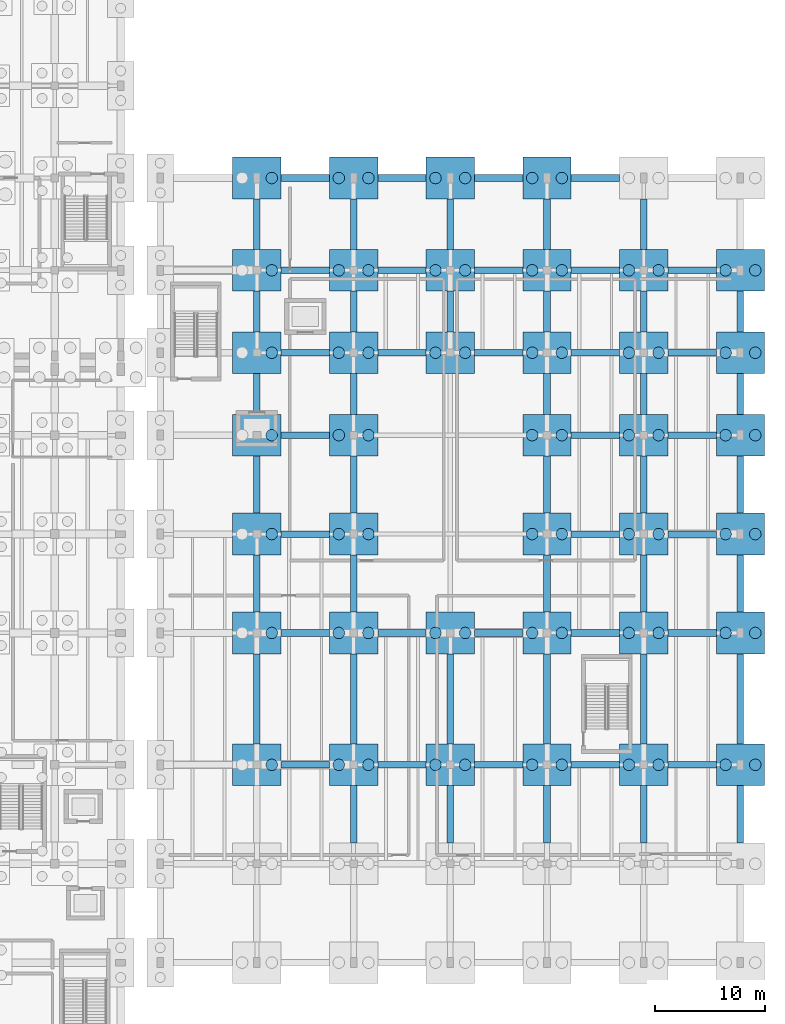
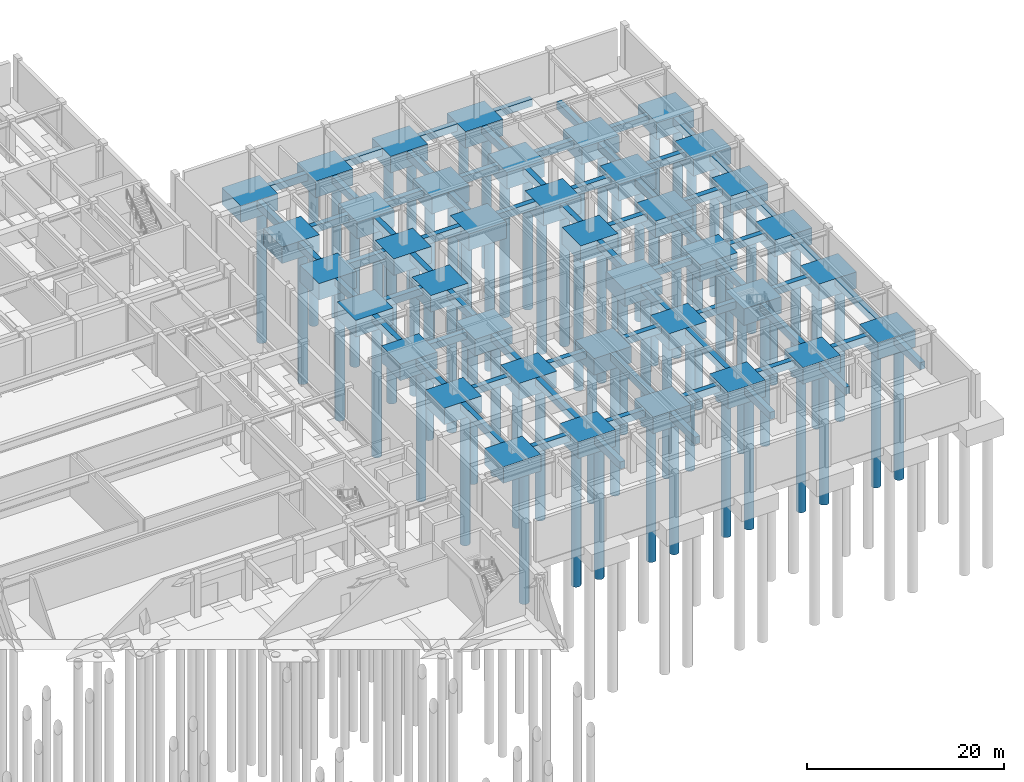
# One storey, part 10 of 69: 105 footings, 69 piles.
"""IFC4 building model written with IfcOpenShell, lengths in metres."""

from ifc_helpers import new_model, si_unit, direction, frame, origin, origin_2d, place, context, subcontext, project, spatial, rectangle, circle, extrude, material, material_profile, profile_set, type_object, element, save


model = new_model("IFC4")

# Units and contexts
model_context = context("Model", 3, precision=1e-05, world=origin(), true_north=direction((0.0, 1.0)))
body_context = subcontext(model_context, "Body", "Model", "MODEL_VIEW")
ifc_project = project(units=[si_unit("LENGTHUNIT", "METRE"), si_unit("AREAUNIT", "SQUARE_METRE"), si_unit("VOLUMEUNIT", "CUBIC_METRE"), si_unit("PLANEANGLEUNIT", "RADIAN"), si_unit("MASSUNIT", "GRAM", prefix="KILO")], contexts=[model_context])

# Site, building, storey
site_placement = place(None, origin())
site = spatial("IfcSite", under=ifc_project, at=site_placement, CompositionType="ELEMENT")
building_placement = place(site_placement, origin())
building = spatial("IfcBuilding", under=site, at=building_placement, Name="Vaelkrest Opera House", CompositionType="ELEMENT")
storey_placement = place(building_placement, frame((0.0, 0.0, -5.39990234375)))
storey = spatial("IfcBuildingStorey", under=building, at=storey_placement, Name="B1", CompositionType="ELEMENT", Elevation=-5.39990234375)

# Footings
ifc_material = material(Name="Concrete C40/50", Category="concrete")
footing_type_1 = type_object("IfcFootingType", Name="FB01", PredefinedType="FOOTING_BEAM", material=ifc_material)
for number, where, z_axis, x_axis, name in (
    (1, (46.800048828125, -19.800048828125, -0.900146484375), (0.0, 0.0, 1.0), (1.0, 0.0, 0.0), "Footing tie beam FT-GB-0302"),
    (2, (55.60009765625, -19.800048828125, -0.900146484375), (0.0, 0.0, 1.0), (1.0, 0.0, 0.0), "Footing tie beam FT-GB-0303"),
    (3, (64.39990234375, -19.800048828125, -0.900146484375), (0.0, 0.0, 1.0), (1.0, 0.0, 0.0), "Footing tie beam FT-GB-0304"),
    (4, (73.199951171875, -19.800048828125, -0.900146484375), (0.0, 0.0, 1.0), (1.0, 0.0, 0.0), "Footing tie beam FT-GB-0305"),
    (5, (82.0, -19.800048828125, -0.900146484375), (0.0, 0.0, 1.0), (1.0, 0.0, 0.0), "Footing tie beam FT-GB-0306"),
    (6, (46.800048828125, -7.800048828125, -0.900146484375), (0.0, 0.0, 1.0), (1.0, 0.0, 0.0), "Footing tie beam FT-GB-0308"),
    (7, (55.60009765625, -7.800048828125, -0.900146484375), (0.0, 0.0, 1.0), (1.0, 0.0, 0.0), "Footing tie beam FT-GB-0309"),
    (8, (64.39990234375, -7.800048828125, -0.900146484375), (0.0, 0.0, 1.0), (1.0, 0.0, 0.0), "Footing tie beam FT-GB-0310"),
    (9, (73.199951171875, -7.800048828125, -0.900146484375), (0.0, 0.0, 1.0), (1.0, 0.0, 0.0), "Footing tie beam FT-GB-0311"),
    (10, (82.0, -7.800048828125, -0.900146484375), (0.0, 0.0, 1.0), (1.0, 0.0, 0.0), "Footing tie beam FT-GB-0312"),
    (11, (46.800048828125, 1.199951171875, -0.900146484375), (0.0, 0.0, 1.0), (1.0, 0.0, 0.0), "Footing tie beam FT-GB-0314"),
    (12, (73.199951171875, 1.199951171875, -0.900146484375), (0.0, 0.0, 1.0), (1.0, 0.0, 0.0), "Footing tie beam FT-GB-0315"),
    (13, (82.0, 1.199951171875, -0.900146484375), (0.0, 0.0, 1.0), (1.0, 0.0, 0.0), "Footing tie beam FT-GB-0316"),
    (14, (46.800048828125, 10.199951171875, -0.900146484375), (0.0, 0.0, 1.0), (1.0, 0.0, 0.0), "Footing tie beam FT-GB-0318"),
    (15, (73.199951171875, 10.199951171875, -0.900146484375), (0.0, 0.0, 1.0), (1.0, 0.0, 0.0), "Footing tie beam FT-GB-0319"),
    (16, (82.0, 10.199951171875, -0.900146484375), (0.0, 0.0, 1.0), (1.0, 0.0, 0.0), "Footing tie beam FT-GB-0320"),
    (17, (46.800048828125, 17.699951171875, -0.900146484375), (0.0, 0.0, 1.0), (1.0, 0.0, 0.0), "Footing tie beam FT-GB-0322"),
    (18, (55.60009765625, 17.699951171875, -0.900146484375), (0.0, 0.0, 1.0), (1.0, 0.0, 0.0), "Footing tie beam FT-GB-0323"),
    (19, (64.39990234375, 17.699951171875, -0.900146484375), (0.0, 0.0, 1.0), (1.0, 0.0, 0.0), "Footing tie beam FT-GB-0324"),
    (20, (73.199951171875, 17.699951171875, -0.900146484375), (0.0, 0.0, 1.0), (1.0, 0.0, 0.0), "Footing tie beam FT-GB-0325"),
    (21, (82.0, 17.699951171875, -0.900146484375), (0.0, 0.0, 1.0), (1.0, 0.0, 0.0), "Footing tie beam FT-GB-0326"),
    (22, (46.800048828125, 25.199951171875, -0.900146484375), (0.0, 0.0, 1.0), (1.0, 0.0, 0.0), "Footing tie beam FT-GB-0328"),
    (23, (55.60009765625, 25.199951171875, -0.900146484375), (0.0, 0.0, 1.0), (1.0, 0.0, 0.0), "Footing tie beam FT-GB-0329"),
    (24, (64.39990234375, 25.199951171875, -0.900146484375), (0.0, 0.0, 1.0), (1.0, 0.0, 0.0), "Footing tie beam FT-GB-0330"),
    (25, (73.199951171875, 25.199951171875, -0.900146484375), (0.0, 0.0, 1.0), (1.0, 0.0, 0.0), "Footing tie beam FT-GB-0331"),
    (26, (82.0, 25.199951171875, -0.900146484375), (0.0, 0.0, 1.0), (1.0, 0.0, 0.0), "Footing tie beam FT-GB-0332"),
    (27, (46.800048828125, 33.60009765625, -0.900146484375), (0.0, 0.0, 1.0), (1.0, 0.0, 0.0), "Footing tie beam FT-GB-0334"),
    (28, (55.60009765625, 33.60009765625, -0.900146484375), (0.0, 0.0, 1.0), (1.0, 0.0, 0.0), "Footing tie beam FT-GB-0335"),
    (29, (64.39990234375, 33.60009765625, -0.900146484375), (0.0, 0.0, 1.0), (1.0, 0.0, 0.0), "Footing tie beam FT-GB-0336"),
    (30, (73.199951171875, 33.60009765625, -0.900146484375), (0.0, 0.0, 1.0), (1.0, 0.0, 0.0), "Footing tie beam FT-GB-0337"),
):
    element("IfcFooting", number, at=place(storey_placement, frame(where, z_axis=z_axis, x_axis=x_axis)), inside=storey, type_object=footing_type_1, Name=name, PredefinedType="FOOTING_BEAM", context=body_context, shape_type="SweptSolid", body=[
        extrude(rectangle(XDim=4.39990234375, YDim=0.60009765625, at=origin_2d()), origin(), (0.0, 0.0, 1.0), 0.89990234375),
    ])
footing_1_placement = place(storey_placement, frame((42.39990234375, -13.800048828125, -0.900146484375), z_axis=(0.0, 0.0, 1.0), x_axis=(0.0, 1.0, 0.0)))
element("IfcFooting", 31, at=footing_1_placement, inside=storey, type_object=footing_type_1, Name="Footing tie beam FT-GB-0349", PredefinedType="FOOTING_BEAM", context=body_context, shape_type="SweptSolid", body=[
    extrude(rectangle(XDim=8.199951171875, YDim=0.60009765625, at=origin_2d()), origin(), (0.0, 0.0, 1.0), 0.89990234375),
])
for number, where, z_axis, x_axis, name in (
    (32, (42.39990234375, -3.300048828125, -0.900146484375), (0.0, 0.0, 1.0), (0.0, 1.0, 0.0), "Footing tie beam FT-GB-0350"),
    (33, (42.39990234375, 5.699951171875, -0.900146484375), (0.0, 0.0, 1.0), (0.0, 1.0, 0.0), "Footing tie beam FT-GB-0351"),
):
    element("IfcFooting", number, at=place(storey_placement, frame(where, z_axis=z_axis, x_axis=x_axis)), inside=storey, type_object=footing_type_1, Name=name, PredefinedType="FOOTING_BEAM", context=body_context, shape_type="SweptSolid", body=[
        extrude(rectangle(XDim=5.199951171875, YDim=0.60009765625, at=origin_2d()), origin(), (0.0, 0.0, 1.0), 0.89990234375),
    ])
for number, where, z_axis, x_axis, name in (
    (34, (42.39990234375, 13.949951171875, -0.900146484375), (0.0, 0.0, 1.0), (0.0, 1.0, 0.0), "Footing tie beam FT-GB-0352"),
    (35, (42.39990234375, 21.449951171875, -0.900146484375), (0.0, 0.0, 1.0), (0.0, 1.0, 0.0), "Footing tie beam FT-GB-0353"),
):
    element("IfcFooting", number, at=place(storey_placement, frame(where, z_axis=z_axis, x_axis=x_axis)), inside=storey, type_object=footing_type_1, Name=name, PredefinedType="FOOTING_BEAM", context=body_context, shape_type="SweptSolid", body=[
        extrude(rectangle(XDim=3.699951171875, YDim=0.60009765625, at=origin_2d()), origin(), (0.0, 0.0, 1.0), 0.89990234375),
    ])
footing_2_placement = place(storey_placement, frame((42.39990234375, 29.39990234375, -0.900146484375), z_axis=(0.0, 0.0, 1.0), x_axis=(0.0, 1.0, 0.0)))
element("IfcFooting", 36, at=footing_2_placement, inside=storey, type_object=footing_type_1, Name="Footing tie beam FT-GB-0354", PredefinedType="FOOTING_BEAM", context=body_context, shape_type="SweptSolid", body=[
    extrude(rectangle(XDim=4.60009765625, YDim=0.60009765625, at=origin_2d()), origin(), (0.0, 0.0, 1.0), 0.89990234375),
])
footing_3_placement = place(storey_placement, frame((51.199951171875, -24.300048828125, -0.900146484375), z_axis=(0.0, 0.0, 1.0), x_axis=(0.0, 1.0, 0.0)))
element("IfcFooting", 37, at=footing_3_placement, inside=storey, type_object=footing_type_1, Name="Footing tie beam FT-GB-0356", PredefinedType="FOOTING_BEAM", context=body_context, shape_type="SweptSolid", body=[
    extrude(rectangle(XDim=5.199951171875, YDim=0.60009765625, at=origin_2d()), origin(), (0.0, 0.0, 1.0), 0.89990234375),
])
footing_4_placement = place(storey_placement, frame((51.199951171875, -13.800048828125, -0.900146484375), z_axis=(0.0, 0.0, 1.0), x_axis=(0.0, 1.0, 0.0)))
element("IfcFooting", 38, at=footing_4_placement, inside=storey, type_object=footing_type_1, Name="Footing tie beam FT-GB-0357", PredefinedType="FOOTING_BEAM", context=body_context, shape_type="SweptSolid", body=[
    extrude(rectangle(XDim=8.199951171875, YDim=0.60009765625, at=origin_2d()), origin(), (0.0, 0.0, 1.0), 0.89990234375),
])
for number, where, z_axis, x_axis, name in (
    (39, (51.199951171875, -3.300048828125, -0.900146484375), (0.0, 0.0, 1.0), (0.0, 1.0, 0.0), "Footing tie beam FT-GB-0358"),
    (40, (51.199951171875, 5.699951171875, -0.900146484375), (0.0, 0.0, 1.0), (0.0, 1.0, 0.0), "Footing tie beam FT-GB-0359"),
):
    element("IfcFooting", number, at=place(storey_placement, frame(where, z_axis=z_axis, x_axis=x_axis)), inside=storey, type_object=footing_type_1, Name=name, PredefinedType="FOOTING_BEAM", context=body_context, shape_type="SweptSolid", body=[
        extrude(rectangle(XDim=5.199951171875, YDim=0.60009765625, at=origin_2d()), origin(), (0.0, 0.0, 1.0), 0.89990234375),
    ])
for number, where, z_axis, x_axis, name in (
    (41, (51.199951171875, 13.949951171875, -0.900146484375), (0.0, 0.0, 1.0), (0.0, 1.0, 0.0), "Footing tie beam FT-GB-0360"),
    (42, (51.199951171875, 21.449951171875, -0.900146484375), (0.0, 0.0, 1.0), (0.0, 1.0, 0.0), "Footing tie beam FT-GB-0361"),
):
    element("IfcFooting", number, at=place(storey_placement, frame(where, z_axis=z_axis, x_axis=x_axis)), inside=storey, type_object=footing_type_1, Name=name, PredefinedType="FOOTING_BEAM", context=body_context, shape_type="SweptSolid", body=[
        extrude(rectangle(XDim=3.699951171875, YDim=0.60009765625, at=origin_2d()), origin(), (0.0, 0.0, 1.0), 0.89990234375),
    ])
footing_5_placement = place(storey_placement, frame((51.199951171875, 29.39990234375, -0.900146484375), z_axis=(0.0, 0.0, 1.0), x_axis=(0.0, 1.0, 0.0)))
element("IfcFooting", 43, at=footing_5_placement, inside=storey, type_object=footing_type_1, Name="Footing tie beam FT-GB-0362", PredefinedType="FOOTING_BEAM", context=body_context, shape_type="SweptSolid", body=[
    extrude(rectangle(XDim=4.60009765625, YDim=0.60009765625, at=origin_2d()), origin(), (0.0, 0.0, 1.0), 0.89990234375),
])
footing_6_placement = place(storey_placement, frame((60.0, -24.300048828125, -0.900146484375), z_axis=(0.0, 0.0, 1.0), x_axis=(0.0, 1.0, 0.0)))
element("IfcFooting", 44, at=footing_6_placement, inside=storey, type_object=footing_type_1, Name="Footing tie beam FT-GB-0364", PredefinedType="FOOTING_BEAM", context=body_context, shape_type="SweptSolid", body=[
    extrude(rectangle(XDim=5.199951171875, YDim=0.60009765625, at=origin_2d()), origin(), (0.0, 0.0, 1.0), 0.89990234375),
])
footing_7_placement = place(storey_placement, frame((60.0, -13.800048828125, -0.900146484375), z_axis=(0.0, 0.0, 1.0), x_axis=(0.0, 1.0, 0.0)))
element("IfcFooting", 45, at=footing_7_placement, inside=storey, type_object=footing_type_1, Name="Footing tie beam FT-GB-0365", PredefinedType="FOOTING_BEAM", context=body_context, shape_type="SweptSolid", body=[
    extrude(rectangle(XDim=8.199951171875, YDim=0.60009765625, at=origin_2d()), origin(), (0.0, 0.0, 1.0), 0.89990234375),
])
footing_8_placement = place(storey_placement, frame((60.0, 21.449951171875, -0.900146484375), z_axis=(0.0, 0.0, 1.0), x_axis=(0.0, 1.0, 0.0)))
element("IfcFooting", 46, at=footing_8_placement, inside=storey, type_object=footing_type_1, Name="Footing tie beam FT-GB-0366", PredefinedType="FOOTING_BEAM", context=body_context, shape_type="SweptSolid", body=[
    extrude(rectangle(XDim=3.699951171875, YDim=0.60009765625, at=origin_2d()), origin(), (0.0, 0.0, 1.0), 0.89990234375),
])
footing_9_placement = place(storey_placement, frame((60.0, 29.39990234375, -0.900146484375), z_axis=(0.0, 0.0, 1.0), x_axis=(0.0, 1.0, 0.0)))
element("IfcFooting", 47, at=footing_9_placement, inside=storey, type_object=footing_type_1, Name="Footing tie beam FT-GB-0367", PredefinedType="FOOTING_BEAM", context=body_context, shape_type="SweptSolid", body=[
    extrude(rectangle(XDim=4.60009765625, YDim=0.60009765625, at=origin_2d()), origin(), (0.0, 0.0, 1.0), 0.89990234375),
])
footing_10_placement = place(storey_placement, frame((68.800048828125, -24.300048828125, -0.900146484375), z_axis=(0.0, 0.0, 1.0), x_axis=(0.0, 1.0, 0.0)))
element("IfcFooting", 48, at=footing_10_placement, inside=storey, type_object=footing_type_1, Name="Footing tie beam FT-GB-0369", PredefinedType="FOOTING_BEAM", context=body_context, shape_type="SweptSolid", body=[
    extrude(rectangle(XDim=5.199951171875, YDim=0.60009765625, at=origin_2d()), origin(), (0.0, 0.0, 1.0), 0.89990234375),
])
footing_11_placement = place(storey_placement, frame((68.800048828125, -13.800048828125, -0.900146484375), z_axis=(0.0, 0.0, 1.0), x_axis=(0.0, 1.0, 0.0)))
element("IfcFooting", 49, at=footing_11_placement, inside=storey, type_object=footing_type_1, Name="Footing tie beam FT-GB-0370", PredefinedType="FOOTING_BEAM", context=body_context, shape_type="SweptSolid", body=[
    extrude(rectangle(XDim=8.199951171875, YDim=0.60009765625, at=origin_2d()), origin(), (0.0, 0.0, 1.0), 0.89990234375),
])
for number, where, z_axis, x_axis, name in (
    (50, (68.800048828125, -3.300048828125, -0.900146484375), (0.0, 0.0, 1.0), (0.0, 1.0, 0.0), "Footing tie beam FT-GB-0371"),
    (51, (68.800048828125, 5.699951171875, -0.900146484375), (0.0, 0.0, 1.0), (0.0, 1.0, 0.0), "Footing tie beam FT-GB-0372"),
):
    element("IfcFooting", number, at=place(storey_placement, frame(where, z_axis=z_axis, x_axis=x_axis)), inside=storey, type_object=footing_type_1, Name=name, PredefinedType="FOOTING_BEAM", context=body_context, shape_type="SweptSolid", body=[
        extrude(rectangle(XDim=5.199951171875, YDim=0.60009765625, at=origin_2d()), origin(), (0.0, 0.0, 1.0), 0.89990234375),
    ])
for number, where, z_axis, x_axis, name in (
    (52, (68.800048828125, 13.949951171875, -0.900146484375), (0.0, 0.0, 1.0), (0.0, 1.0, 0.0), "Footing tie beam FT-GB-0373"),
    (53, (68.800048828125, 21.449951171875, -0.900146484375), (0.0, 0.0, 1.0), (0.0, 1.0, 0.0), "Footing tie beam FT-GB-0374"),
):
    element("IfcFooting", number, at=place(storey_placement, frame(where, z_axis=z_axis, x_axis=x_axis)), inside=storey, type_object=footing_type_1, Name=name, PredefinedType="FOOTING_BEAM", context=body_context, shape_type="SweptSolid", body=[
        extrude(rectangle(XDim=3.699951171875, YDim=0.60009765625, at=origin_2d()), origin(), (0.0, 0.0, 1.0), 0.89990234375),
    ])
footing_12_placement = place(storey_placement, frame((68.800048828125, 29.39990234375, -0.900146484375), z_axis=(0.0, 0.0, 1.0), x_axis=(0.0, 1.0, 0.0)))
element("IfcFooting", 54, at=footing_12_placement, inside=storey, type_object=footing_type_1, Name="Footing tie beam FT-GB-0375", PredefinedType="FOOTING_BEAM", context=body_context, shape_type="SweptSolid", body=[
    extrude(rectangle(XDim=4.60009765625, YDim=0.60009765625, at=origin_2d()), origin(), (0.0, 0.0, 1.0), 0.89990234375),
])
footing_13_placement = place(storey_placement, frame((77.60009765625, -24.300048828125, -0.900146484375), z_axis=(0.0, 0.0, 1.0), x_axis=(0.0, 1.0, 0.0)))
element("IfcFooting", 55, at=footing_13_placement, inside=storey, type_object=footing_type_1, Name="Footing tie beam FT-GB-0377", PredefinedType="FOOTING_BEAM", context=body_context, shape_type="SweptSolid", body=[
    extrude(rectangle(XDim=5.199951171875, YDim=0.60009765625, at=origin_2d()), origin(), (0.0, 0.0, 1.0), 0.89990234375),
])
footing_14_placement = place(storey_placement, frame((77.60009765625, -13.800048828125, -0.900146484375), z_axis=(0.0, 0.0, 1.0), x_axis=(0.0, 1.0, 0.0)))
element("IfcFooting", 56, at=footing_14_placement, inside=storey, type_object=footing_type_1, Name="Footing tie beam FT-GB-0378", PredefinedType="FOOTING_BEAM", context=body_context, shape_type="SweptSolid", body=[
    extrude(rectangle(XDim=8.199951171875, YDim=0.60009765625, at=origin_2d()), origin(), (0.0, 0.0, 1.0), 0.89990234375),
])
for number, where, z_axis, x_axis, name in (
    (57, (77.60009765625, -3.300048828125, -0.900146484375), (0.0, 0.0, 1.0), (0.0, 1.0, 0.0), "Footing tie beam FT-GB-0379"),
    (58, (77.60009765625, 5.699951171875, -0.900146484375), (0.0, 0.0, 1.0), (0.0, 1.0, 0.0), "Footing tie beam FT-GB-0380"),
):
    element("IfcFooting", number, at=place(storey_placement, frame(where, z_axis=z_axis, x_axis=x_axis)), inside=storey, type_object=footing_type_1, Name=name, PredefinedType="FOOTING_BEAM", context=body_context, shape_type="SweptSolid", body=[
        extrude(rectangle(XDim=5.199951171875, YDim=0.60009765625, at=origin_2d()), origin(), (0.0, 0.0, 1.0), 0.89990234375),
    ])
for number, where, z_axis, x_axis, name in (
    (59, (77.60009765625, 13.949951171875, -0.900146484375), (0.0, 0.0, 1.0), (0.0, 1.0, 0.0), "Footing tie beam FT-GB-0381"),
    (60, (77.60009765625, 21.449951171875, -0.900146484375), (0.0, 0.0, 1.0), (0.0, 1.0, 0.0), "Footing tie beam FT-GB-0382"),
):
    element("IfcFooting", number, at=place(storey_placement, frame(where, z_axis=z_axis, x_axis=x_axis)), inside=storey, type_object=footing_type_1, Name=name, PredefinedType="FOOTING_BEAM", context=body_context, shape_type="SweptSolid", body=[
        extrude(rectangle(XDim=3.699951171875, YDim=0.60009765625, at=origin_2d()), origin(), (0.0, 0.0, 1.0), 0.89990234375),
    ])
footing_15_placement = place(storey_placement, frame((77.60009765625, 29.39990234375, -0.900146484375), z_axis=(0.0, 0.0, 1.0), x_axis=(0.0, 1.0, 0.0)))
element("IfcFooting", 61, at=footing_15_placement, inside=storey, type_object=footing_type_1, Name="Footing tie beam FT-GB-0383", PredefinedType="FOOTING_BEAM", context=body_context, shape_type="SweptSolid", body=[
    extrude(rectangle(XDim=4.60009765625, YDim=0.60009765625, at=origin_2d()), origin(), (0.0, 0.0, 1.0), 0.89990234375),
])
footing_16_placement = place(storey_placement, frame((86.39990234375, -24.300048828125, -0.900146484375), z_axis=(0.0, 0.0, 1.0), x_axis=(0.0, 1.0, 0.0)))
element("IfcFooting", 62, at=footing_16_placement, inside=storey, type_object=footing_type_1, Name="Footing tie beam FT-GB-0385", PredefinedType="FOOTING_BEAM", context=body_context, shape_type="SweptSolid", body=[
    extrude(rectangle(XDim=5.199951171875, YDim=0.60009765625, at=origin_2d()), origin(), (0.0, 0.0, 1.0), 0.89990234375),
])
footing_17_placement = place(storey_placement, frame((86.39990234375, -13.800048828125, -0.900146484375), z_axis=(0.0, 0.0, 1.0), x_axis=(0.0, 1.0, 0.0)))
element("IfcFooting", 63, at=footing_17_placement, inside=storey, type_object=footing_type_1, Name="Footing tie beam FT-GB-0386", PredefinedType="FOOTING_BEAM", context=body_context, shape_type="SweptSolid", body=[
    extrude(rectangle(XDim=8.199951171875, YDim=0.60009765625, at=origin_2d()), origin(), (0.0, 0.0, 1.0), 0.89990234375),
])
for number, where, z_axis, x_axis, name in (
    (64, (86.39990234375, -3.300048828125, -0.900146484375), (0.0, 0.0, 1.0), (0.0, 1.0, 0.0), "Footing tie beam FT-GB-0387"),
    (65, (86.39990234375, 5.699951171875, -0.900146484375), (0.0, 0.0, 1.0), (0.0, 1.0, 0.0), "Footing tie beam FT-GB-0388"),
):
    element("IfcFooting", number, at=place(storey_placement, frame(where, z_axis=z_axis, x_axis=x_axis)), inside=storey, type_object=footing_type_1, Name=name, PredefinedType="FOOTING_BEAM", context=body_context, shape_type="SweptSolid", body=[
        extrude(rectangle(XDim=5.199951171875, YDim=0.60009765625, at=origin_2d()), origin(), (0.0, 0.0, 1.0), 0.89990234375),
    ])
for number, where, z_axis, x_axis, name in (
    (66, (86.39990234375, 13.949951171875, -0.900146484375), (0.0, 0.0, 1.0), (0.0, 1.0, 0.0), "Footing tie beam FT-GB-0389"),
    (67, (86.39990234375, 21.449951171875, -0.900146484375), (0.0, 0.0, 1.0), (0.0, 1.0, 0.0), "Footing tie beam FT-GB-0390"),
):
    element("IfcFooting", number, at=place(storey_placement, frame(where, z_axis=z_axis, x_axis=x_axis)), inside=storey, type_object=footing_type_1, Name=name, PredefinedType="FOOTING_BEAM", context=body_context, shape_type="SweptSolid", body=[
        extrude(rectangle(XDim=3.699951171875, YDim=0.60009765625, at=origin_2d()), origin(), (0.0, 0.0, 1.0), 0.89990234375),
    ])
footing_type_2 = type_object("IfcFootingType", Name="PC05", PredefinedType="PILE_CAP", material=ifc_material)
for number, where, z_axis, x_axis, name in (
    (68, (42.39990234375, -19.800048828125, -2.05029296875), (0.0, 0.0, 1.0), (1.0, 0.0, 0.0), "Pile cap FT-CAP-188"),
    (69, (42.39990234375, -7.800048828125, -2.05029296875), (0.0, 0.0, 1.0), (1.0, 0.0, 0.0), "Pile cap FT-CAP-189"),
    (70, (42.39990234375, 1.199951171875, -2.05029296875), (0.0, 0.0, 1.0), (1.0, 0.0, 0.0), "Pile cap FT-CAP-190"),
    (71, (42.39990234375, 10.199951171875, -2.05029296875), (0.0, 0.0, 1.0), (1.0, 0.0, 0.0), "Pile cap FT-CAP-191"),
    (72, (42.39990234375, 17.699951171875, -2.05029296875), (0.0, 0.0, 1.0), (1.0, 0.0, 0.0), "Pile cap FT-CAP-192"),
    (73, (42.39990234375, 25.199951171875, -2.05029296875), (0.0, 0.0, 1.0), (1.0, 0.0, 0.0), "Pile cap FT-CAP-193"),
    (74, (42.39990234375, 33.60009765625, -2.05029296875), (0.0, 0.0, 1.0), (1.0, 0.0, 0.0), "Pile cap FT-CAP-194"),
    (75, (51.199951171875, -19.800048828125, -2.05029296875), (0.0, 0.0, 1.0), (1.0, 0.0, 0.0), "Pile cap FT-CAP-197"),
    (76, (51.199951171875, -7.800048828125, -2.05029296875), (0.0, 0.0, 1.0), (1.0, 0.0, 0.0), "Pile cap FT-CAP-198"),
    (77, (51.199951171875, 1.199951171875, -2.05029296875), (0.0, 0.0, 1.0), (1.0, 0.0, 0.0), "Pile cap FT-CAP-199"),
    (78, (51.199951171875, 10.199951171875, -2.05029296875), (0.0, 0.0, 1.0), (1.0, 0.0, 0.0), "Pile cap FT-CAP-200"),
    (79, (51.199951171875, 17.699951171875, -2.05029296875), (0.0, 0.0, 1.0), (1.0, 0.0, 0.0), "Pile cap FT-CAP-201"),
    (80, (51.199951171875, 25.199951171875, -2.05029296875), (0.0, 0.0, 1.0), (1.0, 0.0, 0.0), "Pile cap FT-CAP-202"),
    (81, (51.199951171875, 33.60009765625, -2.05029296875), (0.0, 0.0, 1.0), (1.0, 0.0, 0.0), "Pile cap FT-CAP-203"),
    (82, (60.0, -19.800048828125, -2.05029296875), (0.0, 0.0, 1.0), (1.0, 0.0, 0.0), "Pile cap FT-CAP-206"),
    (83, (60.0, -7.800048828125, -2.05029296875), (0.0, 0.0, 1.0), (1.0, 0.0, 0.0), "Pile cap FT-CAP-207"),
    (84, (60.0, 17.699951171875, -2.05029296875), (0.0, 0.0, 1.0), (1.0, 0.0, 0.0), "Pile cap FT-CAP-208"),
    (85, (60.0, 25.199951171875, -2.05029296875), (0.0, 0.0, 1.0), (1.0, 0.0, 0.0), "Pile cap FT-CAP-209"),
    (86, (60.0, 33.60009765625, -2.05029296875), (0.0, 0.0, 1.0), (1.0, 0.0, 0.0), "Pile cap FT-CAP-210"),
    (87, (68.800048828125, -19.800048828125, -2.05029296875), (0.0, 0.0, 1.0), (1.0, 0.0, 0.0), "Pile cap FT-CAP-213"),
    (88, (68.800048828125, -7.800048828125, -2.05029296875), (0.0, 0.0, 1.0), (1.0, 0.0, 0.0), "Pile cap FT-CAP-214"),
    (89, (68.800048828125, 1.199951171875, -2.05029296875), (0.0, 0.0, 1.0), (1.0, 0.0, 0.0), "Pile cap FT-CAP-215"),
    (90, (68.800048828125, 10.199951171875, -2.05029296875), (0.0, 0.0, 1.0), (1.0, 0.0, 0.0), "Pile cap FT-CAP-216"),
    (91, (68.800048828125, 17.699951171875, -2.05029296875), (0.0, 0.0, 1.0), (1.0, 0.0, 0.0), "Pile cap FT-CAP-217"),
    (92, (68.800048828125, 25.199951171875, -2.05029296875), (0.0, 0.0, 1.0), (1.0, 0.0, 0.0), "Pile cap FT-CAP-218"),
    (93, (68.800048828125, 33.60009765625, -2.05029296875), (0.0, 0.0, 1.0), (1.0, 0.0, 0.0), "Pile cap FT-CAP-219"),
    (94, (77.60009765625, -19.800048828125, -2.05029296875), (0.0, 0.0, 1.0), (1.0, 0.0, 0.0), "Pile cap FT-CAP-222"),
    (95, (77.60009765625, -7.800048828125, -2.05029296875), (0.0, 0.0, 1.0), (1.0, 0.0, 0.0), "Pile cap FT-CAP-223"),
    (96, (77.60009765625, 1.199951171875, -2.05029296875), (0.0, 0.0, 1.0), (1.0, 0.0, 0.0), "Pile cap FT-CAP-224"),
    (97, (77.60009765625, 10.199951171875, -2.05029296875), (0.0, 0.0, 1.0), (1.0, 0.0, 0.0), "Pile cap FT-CAP-225"),
    (98, (77.60009765625, 17.699951171875, -2.05029296875), (0.0, 0.0, 1.0), (1.0, 0.0, 0.0), "Pile cap FT-CAP-226"),
    (99, (77.60009765625, 25.199951171875, -2.05029296875), (0.0, 0.0, 1.0), (1.0, 0.0, 0.0), "Pile cap FT-CAP-227"),
    (100, (86.39990234375, -19.800048828125, -2.05029296875), (0.0, 0.0, 1.0), (1.0, 0.0, 0.0), "Pile cap FT-CAP-231"),
    (101, (86.39990234375, -7.800048828125, -2.05029296875), (0.0, 0.0, 1.0), (1.0, 0.0, 0.0), "Pile cap FT-CAP-232"),
    (102, (86.39990234375, 1.199951171875, -2.05029296875), (0.0, 0.0, 1.0), (1.0, 0.0, 0.0), "Pile cap FT-CAP-233"),
    (103, (86.39990234375, 10.199951171875, -2.05029296875), (0.0, 0.0, 1.0), (1.0, 0.0, 0.0), "Pile cap FT-CAP-234"),
    (104, (86.39990234375, 17.699951171875, -2.05029296875), (0.0, 0.0, 1.0), (1.0, 0.0, 0.0), "Pile cap FT-CAP-235"),
    (105, (86.39990234375, 25.199951171875, -2.05029296875), (0.0, 0.0, 1.0), (1.0, 0.0, 0.0), "Pile cap FT-CAP-236"),
):
    element("IfcFooting", number, at=place(storey_placement, frame(where, z_axis=z_axis, x_axis=x_axis)), inside=storey, type_object=footing_type_2, Name=name, PredefinedType="PILE_CAP", context=body_context, shape_type="SweptSolid", body=[
        extrude(rectangle(XDim=4.39990234375, YDim=3.800048828125, at=origin_2d()), origin(), (0.0, 0.0, 1.0), 2.050048828125),
    ])

# Piles
ifc_material_profile = material_profile(ifc_material, circle(Radius=0.52490234375, at=origin_2d()), Name="PILE1050")
ifc_profile_set = profile_set([ifc_material_profile], Name="Concrete C40/50")
pile_type = type_object("IfcPileType", Name="PL02", PredefinedType="BORED", material=ifc_profile_set)
for number, where, z_axis, x_axis, name in (
    (106, (43.75, -19.800048828125, -1.9501953125), (0.0, 0.0, -1.0), (1.0, 0.0, 0.0), "Bored pile PL-0564"),
    (107, (43.75, -7.800048828125, -1.9501953125), (0.0, 0.0, -1.0), (1.0, 0.0, 0.0), "Bored pile PL-0566"),
    (108, (43.75, 1.199951171875, -1.9501953125), (0.0, 0.0, -1.0), (1.0, 0.0, 0.0), "Bored pile PL-0568"),
    (109, (43.75, 10.199951171875, -1.9501953125), (0.0, 0.0, -1.0), (1.0, 0.0, 0.0), "Bored pile PL-0570"),
    (110, (43.75, 17.699951171875, -1.9501953125), (0.0, 0.0, -1.0), (1.0, 0.0, 0.0), "Bored pile PL-0572"),
    (111, (43.75, 25.199951171875, -1.9501953125), (0.0, 0.0, -1.0), (1.0, 0.0, 0.0), "Bored pile PL-0574"),
    (112, (43.75, 33.60009765625, -1.9501953125), (0.0, 0.0, -1.0), (1.0, 0.0, 0.0), "Bored pile PL-0576"),
    (113, (49.85009765625, -19.800048828125, -1.9501953125), (0.0, 0.0, -1.0), (1.0, 0.0, 0.0), "Bored pile PL-0581"),
    (114, (52.550048828125, -19.800048828125, -1.9501953125), (0.0, 0.0, -1.0), (1.0, 0.0, 0.0), "Bored pile PL-0582"),
    (115, (49.85009765625, -7.800048828125, -1.9501953125), (0.0, 0.0, -1.0), (1.0, 0.0, 0.0), "Bored pile PL-0583"),
    (116, (52.550048828125, -7.800048828125, -1.9501953125), (0.0, 0.0, -1.0), (1.0, 0.0, 0.0), "Bored pile PL-0584"),
    (117, (49.85009765625, 1.199951171875, -1.9501953125), (0.0, 0.0, -1.0), (1.0, 0.0, 0.0), "Bored pile PL-0585"),
    (118, (52.550048828125, 1.199951171875, -1.9501953125), (0.0, 0.0, -1.0), (1.0, 0.0, 0.0), "Bored pile PL-0586"),
    (119, (49.85009765625, 10.199951171875, -1.9501953125), (0.0, 0.0, -1.0), (1.0, 0.0, 0.0), "Bored pile PL-0587"),
    (120, (52.550048828125, 10.199951171875, -1.9501953125), (0.0, 0.0, -1.0), (1.0, 0.0, 0.0), "Bored pile PL-0588"),
    (121, (49.85009765625, 17.699951171875, -1.9501953125), (0.0, 0.0, -1.0), (1.0, 0.0, 0.0), "Bored pile PL-0589"),
    (122, (52.550048828125, 17.699951171875, -1.9501953125), (0.0, 0.0, -1.0), (1.0, 0.0, 0.0), "Bored pile PL-0590"),
    (123, (49.85009765625, 25.199951171875, -1.9501953125), (0.0, 0.0, -1.0), (1.0, 0.0, 0.0), "Bored pile PL-0591"),
    (124, (52.550048828125, 25.199951171875, -1.9501953125), (0.0, 0.0, -1.0), (1.0, 0.0, 0.0), "Bored pile PL-0592"),
    (125, (49.85009765625, 33.60009765625, -1.9501953125), (0.0, 0.0, -1.0), (1.0, 0.0, 0.0), "Bored pile PL-0593"),
    (126, (52.550048828125, 33.60009765625, -1.9501953125), (0.0, 0.0, -1.0), (1.0, 0.0, 0.0), "Bored pile PL-0594"),
    (127, (58.64990234375, -19.800048828125, -1.9501953125), (0.0, 0.0, -1.0), (1.0, 0.0, 0.0), "Bored pile PL-0599"),
    (128, (61.35009765625, -19.800048828125, -1.9501953125), (0.0, 0.0, -1.0), (1.0, 0.0, 0.0), "Bored pile PL-0600"),
    (129, (58.64990234375, -7.800048828125, -1.9501953125), (0.0, 0.0, -1.0), (1.0, 0.0, 0.0), "Bored pile PL-0601"),
    (130, (61.35009765625, -7.800048828125, -1.9501953125), (0.0, 0.0, -1.0), (1.0, 0.0, 0.0), "Bored pile PL-0602"),
    (131, (58.64990234375, 17.699951171875, -1.9501953125), (0.0, 0.0, -1.0), (1.0, 0.0, 0.0), "Bored pile PL-0603"),
    (132, (61.35009765625, 17.699951171875, -1.9501953125), (0.0, 0.0, -1.0), (1.0, 0.0, 0.0), "Bored pile PL-0604"),
    (133, (58.64990234375, 25.199951171875, -1.9501953125), (0.0, 0.0, -1.0), (1.0, 0.0, 0.0), "Bored pile PL-0605"),
    (134, (61.35009765625, 25.199951171875, -1.9501953125), (0.0, 0.0, -1.0), (1.0, 0.0, 0.0), "Bored pile PL-0606"),
    (135, (58.64990234375, 33.60009765625, -1.9501953125), (0.0, 0.0, -1.0), (1.0, 0.0, 0.0), "Bored pile PL-0607"),
    (136, (61.35009765625, 33.60009765625, -1.9501953125), (0.0, 0.0, -1.0), (1.0, 0.0, 0.0), "Bored pile PL-0608"),
    (137, (67.449951171875, -19.800048828125, -1.9501953125), (0.0, 0.0, -1.0), (1.0, 0.0, 0.0), "Bored pile PL-0613"),
    (138, (70.14990234375, -19.800048828125, -1.9501953125), (0.0, 0.0, -1.0), (1.0, 0.0, 0.0), "Bored pile PL-0614"),
    (139, (67.449951171875, -7.800048828125, -1.9501953125), (0.0, 0.0, -1.0), (1.0, 0.0, 0.0), "Bored pile PL-0615"),
    (140, (70.14990234375, -7.800048828125, -1.9501953125), (0.0, 0.0, -1.0), (1.0, 0.0, 0.0), "Bored pile PL-0616"),
    (141, (67.449951171875, 1.199951171875, -1.9501953125), (0.0, 0.0, -1.0), (1.0, 0.0, 0.0), "Bored pile PL-0617"),
    (142, (70.14990234375, 1.199951171875, -1.9501953125), (0.0, 0.0, -1.0), (1.0, 0.0, 0.0), "Bored pile PL-0618"),
    (143, (67.449951171875, 10.199951171875, -1.9501953125), (0.0, 0.0, -1.0), (1.0, 0.0, 0.0), "Bored pile PL-0619"),
    (144, (70.14990234375, 10.199951171875, -1.9501953125), (0.0, 0.0, -1.0), (1.0, 0.0, 0.0), "Bored pile PL-0620"),
    (145, (67.449951171875, 17.699951171875, -1.9501953125), (0.0, 0.0, -1.0), (1.0, 0.0, 0.0), "Bored pile PL-0621"),
    (146, (70.14990234375, 17.699951171875, -1.9501953125), (0.0, 0.0, -1.0), (1.0, 0.0, 0.0), "Bored pile PL-0622"),
    (147, (67.449951171875, 25.199951171875, -1.9501953125), (0.0, 0.0, -1.0), (1.0, 0.0, 0.0), "Bored pile PL-0623"),
    (148, (70.14990234375, 25.199951171875, -1.9501953125), (0.0, 0.0, -1.0), (1.0, 0.0, 0.0), "Bored pile PL-0624"),
    (149, (67.449951171875, 33.60009765625, -1.9501953125), (0.0, 0.0, -1.0), (1.0, 0.0, 0.0), "Bored pile PL-0625"),
    (150, (70.14990234375, 33.60009765625, -1.9501953125), (0.0, 0.0, -1.0), (1.0, 0.0, 0.0), "Bored pile PL-0626"),
    (151, (76.25, -19.800048828125, -1.9501953125), (0.0, 0.0, -1.0), (1.0, 0.0, 0.0), "Bored pile PL-0631"),
    (152, (78.949951171875, -19.800048828125, -1.9501953125), (0.0, 0.0, -1.0), (1.0, 0.0, 0.0), "Bored pile PL-0632"),
    (153, (76.25, -7.800048828125, -1.9501953125), (0.0, 0.0, -1.0), (1.0, 0.0, 0.0), "Bored pile PL-0633"),
    (154, (78.949951171875, -7.800048828125, -1.9501953125), (0.0, 0.0, -1.0), (1.0, 0.0, 0.0), "Bored pile PL-0634"),
    (155, (76.25, 1.199951171875, -1.9501953125), (0.0, 0.0, -1.0), (1.0, 0.0, 0.0), "Bored pile PL-0635"),
    (156, (78.949951171875, 1.199951171875, -1.9501953125), (0.0, 0.0, -1.0), (1.0, 0.0, 0.0), "Bored pile PL-0636"),
    (157, (76.25, 10.199951171875, -1.9501953125), (0.0, 0.0, -1.0), (1.0, 0.0, 0.0), "Bored pile PL-0637"),
    (158, (78.949951171875, 10.199951171875, -1.9501953125), (0.0, 0.0, -1.0), (1.0, 0.0, 0.0), "Bored pile PL-0638"),
    (159, (76.25, 17.699951171875, -1.9501953125), (0.0, 0.0, -1.0), (1.0, 0.0, 0.0), "Bored pile PL-0639"),
    (160, (78.949951171875, 17.699951171875, -1.9501953125), (0.0, 0.0, -1.0), (1.0, 0.0, 0.0), "Bored pile PL-0640"),
    (161, (76.25, 25.199951171875, -1.9501953125), (0.0, 0.0, -1.0), (1.0, 0.0, 0.0), "Bored pile PL-0641"),
    (162, (78.949951171875, 25.199951171875, -1.9501953125), (0.0, 0.0, -1.0), (1.0, 0.0, 0.0), "Bored pile PL-0642"),
    (163, (85.050048828125, -19.800048828125, -1.9501953125), (0.0, 0.0, -1.0), (1.0, 0.0, 0.0), "Bored pile PL-0649"),
    (164, (87.75, -19.800048828125, -1.9501953125), (0.0, 0.0, -1.0), (1.0, 0.0, 0.0), "Bored pile PL-0650"),
    (165, (85.050048828125, -7.800048828125, -1.9501953125), (0.0, 0.0, -1.0), (1.0, 0.0, 0.0), "Bored pile PL-0651"),
    (166, (87.75, -7.800048828125, -1.9501953125), (0.0, 0.0, -1.0), (1.0, 0.0, 0.0), "Bored pile PL-0652"),
    (167, (85.050048828125, 1.199951171875, -1.9501953125), (0.0, 0.0, -1.0), (1.0, 0.0, 0.0), "Bored pile PL-0653"),
    (168, (87.75, 1.199951171875, -1.9501953125), (0.0, 0.0, -1.0), (1.0, 0.0, 0.0), "Bored pile PL-0654"),
    (169, (85.050048828125, 10.199951171875, -1.9501953125), (0.0, 0.0, -1.0), (1.0, 0.0, 0.0), "Bored pile PL-0655"),
    (170, (87.75, 10.199951171875, -1.9501953125), (0.0, 0.0, -1.0), (1.0, 0.0, 0.0), "Bored pile PL-0656"),
    (171, (85.050048828125, 17.699951171875, -1.9501953125), (0.0, 0.0, -1.0), (1.0, 0.0, 0.0), "Bored pile PL-0657"),
    (172, (87.75, 17.699951171875, -1.9501953125), (0.0, 0.0, -1.0), (1.0, 0.0, 0.0), "Bored pile PL-0658"),
    (173, (85.050048828125, 25.199951171875, -1.9501953125), (0.0, 0.0, -1.0), (1.0, 0.0, 0.0), "Bored pile PL-0659"),
    (174, (87.75, 25.199951171875, -1.9501953125), (0.0, 0.0, -1.0), (1.0, 0.0, 0.0), "Bored pile PL-0660"),
):
    element("IfcPile", number, at=place(storey_placement, frame(where, z_axis=z_axis, x_axis=x_axis)), inside=storey, type_object=pile_type, Name=name, PredefinedType="BORED", context=body_context, shape_type="SweptSolid", body=[
        extrude(circle(Radius=0.52490234375, at=origin_2d()), origin(), (0.0, 0.0, 1.0), 17.14990234375),
    ])

save(model, "model.ifc")
